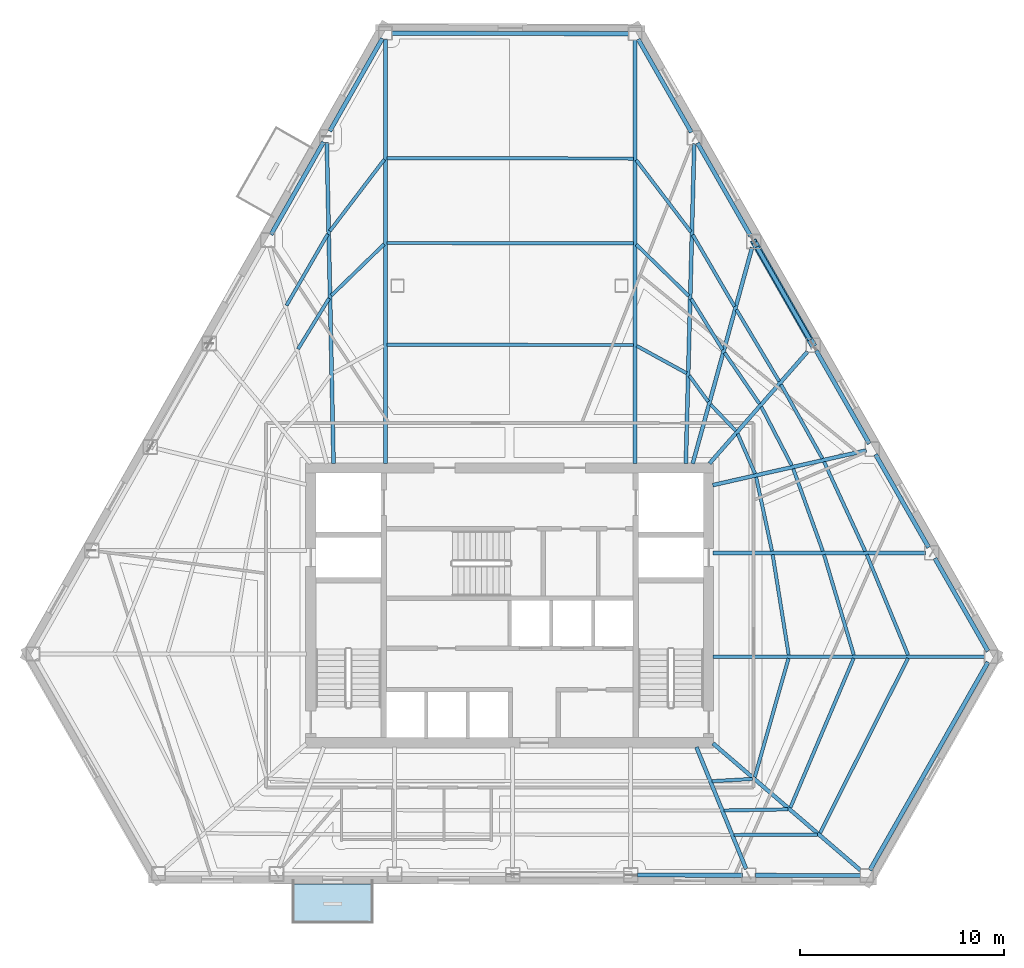
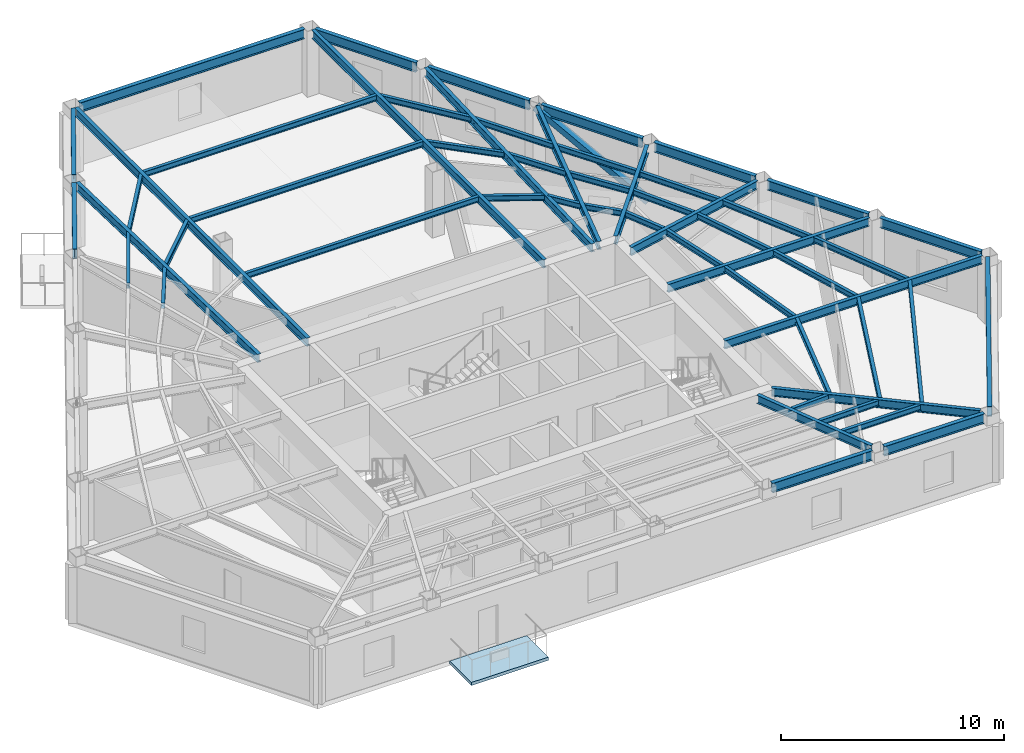
# One storey, part 2 of 13: 54 beams, 1 member, 1 slab.
"""IFC4 building model written with IfcOpenShell, lengths in metres."""

from ifc_helpers import new_model, si_unit, direction, frame, origin, origin_2d, place, context, subcontext, project, spatial, polyline, hollow_rectangle, i_section, outline, extrude, material, layer, layer_set, material_profile, profile_set, type_object, element, save


model = new_model("IFC4")

# Units and contexts
model_context = context("Model", 3, precision=1e-05, world=origin(), true_north=direction((0.0, 1.0)))
body_context = subcontext(model_context, "Body", "Model", "MODEL_VIEW")
ifc_project = project(units=[si_unit("LENGTHUNIT", "METRE"), si_unit("AREAUNIT", "SQUARE_METRE"), si_unit("VOLUMEUNIT", "CUBIC_METRE"), si_unit("PLANEANGLEUNIT", "RADIAN"), si_unit("MASSUNIT", "GRAM", prefix="KILO")], contexts=[model_context])

# Site, building, storey
site_placement = place(None, origin())
site = spatial("IfcSite", under=ifc_project, at=site_placement, CompositionType="ELEMENT")
building_placement = place(site_placement, origin())
building = spatial("IfcBuilding", under=site, at=building_placement, Name="Kavelnor Concourse Tower", CompositionType="ELEMENT")
storey_placement = place(building_placement, frame((0.0, 0.0, 97.050048828125)))
storey = spatial("IfcBuildingStorey", under=building, at=storey_placement, Name="L24", CompositionType="ELEMENT", Elevation=97.050048828125)

# Beams
ifc_material_1 = material(Name="Steel Grade 350", Category="steel")
ifc_material_profile_1 = material_profile(ifc_material_1, i_section(OverallWidth=0.166015625, OverallDepth=0.306884765625, WebThickness=0.006591796875, FlangeThickness=0.01171875, at=origin_2d()), Name="310UB46")
ifc_profile_set_1 = profile_set([ifc_material_profile_1], Name="Steel Grade 350")
beam_type_1 = type_object("IfcBeamType", Name="BM-JOIST-310", PredefinedType="JOIST", material=ifc_profile_set_1)
beam_1_placement = place(storey_placement, frame((47.949462890625, 7.46337890625, 3.446533203125), z_axis=(0.998497633598, 0.054794851024, 0.0), x_axis=(-0.054794851024, 0.998497633598, 0.0)))
element("IfcBeam", 1, at=beam_1_placement, inside=storey, type_object=beam_type_1, Name="L24 Secondary Composite Joist 07-1", PredefinedType="JOIST", context=body_context, shape_type="SweptSolid", body=[
    extrude(i_section(OverallWidth=0.166015625, OverallDepth=0.306884765625, WebThickness=0.006591796875, FlangeThickness=0.01171875, at=origin_2d()), origin(), (0.0, 0.0, 1.0), 1.982666015625),
])
beam_2_placement = place(storey_placement, frame((48.53662109375, 6.021484375, 3.446533203125), z_axis=(0.999827853968, 0.018554310272, 0.0), x_axis=(-0.018554310272, 0.999827853968, 0.0)))
element("IfcBeam", 2, at=beam_2_placement, inside=storey, type_object=beam_type_1, Name="L24 Secondary Composite Joist 07-2", PredefinedType="JOIST", context=body_context, shape_type="SweptSolid", body=[
    extrude(i_section(OverallWidth=0.166015625, OverallDepth=0.306884765625, WebThickness=0.006591796875, FlangeThickness=0.01171875, at=origin_2d()), origin(), (0.0, 0.0, 1.0), 3.131591796875),
])
beam_3_placement = place(storey_placement, frame((49.025390625, 4.8212890625, 3.446533203125), z_axis=(0.999994807678, 0.003222517134, 0.0), x_axis=(-0.003222517134, 0.999994807678, 0.0)))
element("IfcBeam", 3, at=beam_3_placement, inside=storey, type_object=beam_type_1, Name="L24 Secondary Composite Joist 07-3", PredefinedType="JOIST", context=body_context, shape_type="SweptSolid", body=[
    extrude(i_section(OverallWidth=0.166015625, OverallDepth=0.306884765625, WebThickness=0.006591796875, FlangeThickness=0.01171875, at=origin_2d()), origin(), (0.0, 0.0, 1.0), 4.091064453125),
])
beam_4_placement = place(storey_placement, frame((50.04248046875, 7.662353515625, 3.446533203125), z_axis=(0.273385517776, 0.961904547588, 0.0), x_axis=(-0.961904547588, 0.273385517776, 0.0)))
element("IfcBeam", 4, at=beam_4_placement, inside=storey, type_object=beam_type_1, Name="L24 Secondary Composite Joist 08-1", PredefinedType="JOIST", context=body_context, shape_type="SweptSolid", body=[
    extrude(i_section(OverallWidth=0.166015625, OverallDepth=0.306884765625, WebThickness=0.006591796875, FlangeThickness=0.01171875, at=origin_2d()), origin(), (0.0, 0.0, 1.0), 6.06103515625),
])
beam_5_placement = place(storey_placement, frame((51.79150390625, 6.1630859375, 3.446533203125), z_axis=(0.390067979964, 0.920786061475, 0.0), x_axis=(-0.920786061475, 0.390067979964, 0.0)))
element("IfcBeam", 5, at=beam_5_placement, inside=storey, type_object=beam_type_1, Name="L24 Secondary Composite Joist 08-2", PredefinedType="JOIST", context=body_context, shape_type="SweptSolid", body=[
    extrude(i_section(OverallWidth=0.166015625, OverallDepth=0.306884765625, WebThickness=0.006591796875, FlangeThickness=0.01171875, at=origin_2d()), origin(), (0.0, 0.0, 1.0), 7.9638671875),
])
beam_6_placement = place(storey_placement, frame((53.24560546875, 4.914306640625, 3.446533203125), z_axis=(0.449620246027, 0.893219813015, 0.0), x_axis=(-0.893219813015, 0.449620246027, 0.0)))
element("IfcBeam", 6, at=beam_6_placement, inside=storey, type_object=beam_type_1, Name="L24 Secondary Composite Joist 08-3", PredefinedType="JOIST", context=body_context, shape_type="SweptSolid", body=[
    extrude(i_section(OverallWidth=0.166015625, OverallDepth=0.306884765625, WebThickness=0.006591796875, FlangeThickness=0.01171875, at=origin_2d()), origin(), (0.0, 0.0, 1.0), 9.6103515625),
])
beam_7_placement = place(storey_placement, frame((51.709716796875, 13.666015625, 3.446533203125), z_axis=(-0.158051608703, 0.987430852762, 0.0), x_axis=(-0.987430852762, -0.158051608703, 0.0)))
element("IfcBeam", 7, at=beam_7_placement, inside=storey, type_object=beam_type_1, Name="L24 Secondary Composite Joist 09-1", PredefinedType="JOIST", context=body_context, shape_type="SweptSolid", body=[
    extrude(i_section(OverallWidth=0.166015625, OverallDepth=0.306884765625, WebThickness=0.006591796875, FlangeThickness=0.01171875, at=origin_2d()), origin(), (0.0, 0.0, 1.0), 4.986328125),
])
beam_8_placement = place(storey_placement, frame((54.9072265625, 13.663330078125, 3.446533203125), z_axis=(-0.284877124027, 0.95856404283, 0.0), x_axis=(-0.95856404283, -0.284877124027, 0.0)))
element("IfcBeam", 8, at=beam_8_placement, inside=storey, type_object=beam_type_1, Name="L24 Secondary Composite Joist 09-2", PredefinedType="JOIST", context=body_context, shape_type="SweptSolid", body=[
    extrude(i_section(OverallWidth=0.166015625, OverallDepth=0.306884765625, WebThickness=0.006591796875, FlangeThickness=0.01171875, at=origin_2d()), origin(), (0.0, 0.0, 1.0), 5.14208984375),
])
beam_9_placement = place(storey_placement, frame((57.572998046875, 13.660400390625, 3.446533203125), z_axis=(-0.380554205786, 0.924758615239, 0.0), x_axis=(-0.924758615239, -0.380554205786, 0.0)))
element("IfcBeam", 9, at=beam_9_placement, inside=storey, type_object=beam_type_1, Name="L24 Secondary Composite Joist 09-3", PredefinedType="JOIST", context=body_context, shape_type="SweptSolid", body=[
    extrude(i_section(OverallWidth=0.166015625, OverallDepth=0.306884765625, WebThickness=0.006591796875, FlangeThickness=0.01171875, at=origin_2d()), origin(), (0.0, 0.0, 1.0), 5.33642578125),
])
beam_10_placement = place(storey_placement, frame((50.888916015625, 18.7646484375, 3.446533203125), z_axis=(-0.209533577314, 0.977801452227, 0.0), x_axis=(-0.977801452227, -0.209533577314, 0.0)))
element("IfcBeam", 10, at=beam_10_placement, inside=storey, type_object=beam_type_1, Name="L24 Secondary Composite Joist 10-1", PredefinedType="JOIST", context=body_context, shape_type="SweptSolid", body=[
    extrude(i_section(OverallWidth=0.166015625, OverallDepth=0.306884765625, WebThickness=0.006591796875, FlangeThickness=0.01171875, at=origin_2d()), origin(), (0.0, 0.0, 1.0), 3.714599609375),
])
beam_11_placement = place(storey_placement, frame((53.386962890625, 18.76123046875, 3.446533203125), z_axis=(-0.338363670899, 0.941015422943, 0.0), x_axis=(-0.941015422943, -0.338363670899, 0.0)))
element("IfcBeam", 11, at=beam_11_placement, inside=storey, type_object=beam_type_1, Name="L24 Secondary Composite Joist 10-2", PredefinedType="JOIST", context=body_context, shape_type="SweptSolid", body=[
    extrude(i_section(OverallWidth=0.166015625, OverallDepth=0.306884765625, WebThickness=0.006591796875, FlangeThickness=0.01171875, at=origin_2d()), origin(), (0.0, 0.0, 1.0), 4.301025390625),
])
beam_12_placement = place(storey_placement, frame((55.47119140625, 18.75830078125, 3.446533203125), z_axis=(-0.418523645981, 0.908205900528, 0.0), x_axis=(-0.908205900528, -0.418523645981, 0.0)))
element("IfcBeam", 12, at=beam_12_placement, inside=storey, type_object=beam_type_1, Name="L24 Secondary Composite Joist 10-3", PredefinedType="JOIST", context=body_context, shape_type="SweptSolid", body=[
    extrude(i_section(OverallWidth=0.166015625, OverallDepth=0.306884765625, WebThickness=0.006591796875, FlangeThickness=0.01171875, at=origin_2d()), origin(), (0.0, 0.0, 1.0), 4.837646484375),
])
beam_13_placement = place(storey_placement, frame((50.056640625, 22.5654296875, 3.446533203125), z_axis=(-0.398638474691, 0.917108154198, 0.0), x_axis=(-0.917108154198, -0.398638474691, 0.0)))
element("IfcBeam", 13, at=beam_13_placement, inside=storey, type_object=beam_type_1, Name="L24 Secondary Composite Joist 11-1", PredefinedType="JOIST", context=body_context, shape_type="SweptSolid", body=[
    extrude(i_section(OverallWidth=0.166015625, OverallDepth=0.306884765625, WebThickness=0.006591796875, FlangeThickness=0.01171875, at=origin_2d()), origin(), (0.0, 0.0, 1.0), 2.13916015625),
])
beam_14_placement = place(storey_placement, frame((51.860595703125, 22.97119140625, 3.446533203125), z_axis=(-0.461099134527, 0.887348628296, 0.0), x_axis=(-0.887348628296, -0.461099134527, 0.0)))
element("IfcBeam", 14, at=beam_14_placement, inside=storey, type_object=beam_type_1, Name="L24 Secondary Composite Joist 11-2", PredefinedType="JOIST", context=body_context, shape_type="SweptSolid", body=[
    extrude(i_section(OverallWidth=0.166015625, OverallDepth=0.306884765625, WebThickness=0.006591796875, FlangeThickness=0.01171875, at=origin_2d()), origin(), (0.0, 0.0, 1.0), 3.24365234375),
])
beam_15_placement = place(storey_placement, frame((53.365966796875, 23.310302734375, 3.446533203125), z_axis=(-0.488066698709, 0.872806334539, 0.0), x_axis=(-0.872806334539, -0.488066698709, 0.0)))
element("IfcBeam", 15, at=beam_15_placement, inside=storey, type_object=beam_type_1, Name="L24 Secondary Composite Joist 11-3", PredefinedType="JOIST", context=body_context, shape_type="SweptSolid", body=[
    extrude(i_section(OverallWidth=0.166015625, OverallDepth=0.306884765625, WebThickness=0.006591796875, FlangeThickness=0.01171875, at=origin_2d()), origin(), (0.0, 0.0, 1.0), 4.17041015625),
])
beam_16_placement = place(storey_placement, frame((49.10693359375, 24.673583984375, 3.446533203125), z_axis=(-0.690128506896, 0.723686841092, 0.0), x_axis=(-0.723686841092, -0.690128506896, 0.0)))
element("IfcBeam", 16, at=beam_16_placement, inside=storey, type_object=beam_type_1, Name="L24 Secondary Composite Joist 12-1", PredefinedType="JOIST", context=body_context, shape_type="SweptSolid", body=[
    extrude(i_section(OverallWidth=0.166015625, OverallDepth=0.306884765625, WebThickness=0.006591796875, FlangeThickness=0.01171875, at=origin_2d()), origin(), (0.0, 0.0, 1.0), 1.789794921875),
])
beam_17_placement = place(storey_placement, frame((50.273681640625, 26.001708984375, 3.446533203125), z_axis=(-0.564499354134, 0.825433509849, 0.0), x_axis=(-0.825433509849, -0.564499354134, 0.0)))
element("IfcBeam", 17, at=beam_17_placement, inside=storey, type_object=beam_type_1, Name="L24 Secondary Composite Joist 12-2", PredefinedType="JOIST", context=body_context, shape_type="SweptSolid", body=[
    extrude(i_section(OverallWidth=0.166015625, OverallDepth=0.306884765625, WebThickness=0.006591796875, FlangeThickness=0.01171875, at=origin_2d()), origin(), (0.0, 0.0, 1.0), 3.03515625),
])
beam_18_placement = place(storey_placement, frame((51.241455078125, 27.104248046875, 3.446533203125), z_axis=(-0.512533951965, 0.858666959934, 0.0), x_axis=(-0.858666959934, -0.512533951965, 0.0)))
element("IfcBeam", 18, at=beam_18_placement, inside=storey, type_object=beam_type_1, Name="L24 Secondary Composite Joist 12-3", PredefinedType="JOIST", context=body_context, shape_type="SweptSolid", body=[
    extrude(i_section(OverallWidth=0.166015625, OverallDepth=0.306884765625, WebThickness=0.006591796875, FlangeThickness=0.01171875, at=origin_2d()), origin(), (0.0, 0.0, 1.0), 4.102294921875),
])
beam_19_placement = place(storey_placement, frame((47.758056640625, 26.10498046875, 3.446533203125), z_axis=(-0.588345454386, 0.808609687243, 0.0), x_axis=(-0.808609687243, -0.588345454386, 0.0)))
element("IfcBeam", 19, at=beam_19_placement, inside=storey, type_object=beam_type_1, Name="L24 Secondary Composite Joist 13-1", PredefinedType="JOIST", context=body_context, shape_type="SweptSolid", body=[
    extrude(i_section(OverallWidth=0.166015625, OverallDepth=0.306884765625, WebThickness=0.006591796875, FlangeThickness=0.01171875, at=origin_2d()), origin(), (0.0, 0.0, 1.0), 1.587158203125),
])
beam_20_placement = place(storey_placement, frame((48.46337890625, 28.656005859375, 3.446533203125), z_axis=(-0.525736874835, 0.850647246771, 0.0), x_axis=(-0.850647246771, -0.525736874835, 0.0)))
element("IfcBeam", 20, at=beam_20_placement, inside=storey, type_object=beam_type_1, Name="L24 Secondary Composite Joist 13-2", PredefinedType="JOIST", context=body_context, shape_type="SweptSolid", body=[
    extrude(i_section(OverallWidth=0.166015625, OverallDepth=0.306884765625, WebThickness=0.006591796875, FlangeThickness=0.01171875, at=origin_2d()), origin(), (0.0, 0.0, 1.0), 2.939453125),
])
beam_21_placement = place(storey_placement, frame((49.04833984375, 30.780029296875, 3.446533203125), z_axis=(-0.503334116367, 0.86409187434, 0.0), x_axis=(-0.86409187434, -0.503334116367, 0.0)))
element("IfcBeam", 21, at=beam_21_placement, inside=storey, type_object=beam_type_1, Name="L24 Secondary Composite Joist 13-3", PredefinedType="JOIST", context=body_context, shape_type="SweptSolid", body=[
    extrude(i_section(OverallWidth=0.166015625, OverallDepth=0.306884765625, WebThickness=0.006591796875, FlangeThickness=0.01171875, at=origin_2d()), origin(), (0.0, 0.0, 1.0), 4.072021484375),
])
beam_22_placement = place(storey_placement, frame((46.693603515625, 27.503173828125, 3.446533203125), z_axis=(-0.877143565808, 0.48022824257, 0.0), x_axis=(-0.48022824257, -0.877143565808, 0.0)))
element("IfcBeam", 22, at=beam_22_placement, inside=storey, type_object=beam_type_1, Name="L24 Secondary Composite Joist 14-1", PredefinedType="JOIST", context=body_context, shape_type="SweptSolid", body=[
    extrude(i_section(OverallWidth=0.166015625, OverallDepth=0.306884765625, WebThickness=0.006591796875, FlangeThickness=0.01171875, at=origin_2d()), origin(), (0.0, 0.0, 1.0), 2.795654296875),
])
beam_23_placement = place(storey_placement, frame((46.8076171875, 31.29443359375, 3.446533203125), z_axis=(-0.714468896204, 0.699667204002, 0.0), x_axis=(-0.699667204002, -0.714468896204, 0.0)))
element("IfcBeam", 23, at=beam_23_placement, inside=storey, type_object=beam_type_1, Name="L24 Secondary Composite Joist 14-2", PredefinedType="JOIST", context=body_context, shape_type="SweptSolid", body=[
    extrude(i_section(OverallWidth=0.166015625, OverallDepth=0.306884765625, WebThickness=0.006591796875, FlangeThickness=0.01171875, at=origin_2d()), origin(), (0.0, 0.0, 1.0), 3.6123046875),
])
beam_24_placement = place(storey_placement, frame((46.900146484375, 34.4462890625, 3.446533203125), z_axis=(-0.605088852016, 0.796157949886, 0.0), x_axis=(-0.796157949886, -0.605088852016, 0.0)))
element("IfcBeam", 24, at=beam_24_placement, inside=storey, type_object=beam_type_1, Name="L24 Secondary Composite Joist 14-3", PredefinedType="JOIST", context=body_context, shape_type="SweptSolid", body=[
    extrude(i_section(OverallWidth=0.166015625, OverallDepth=0.306884765625, WebThickness=0.006591796875, FlangeThickness=0.01171875, at=origin_2d()), origin(), (0.0, 0.0, 1.0), 4.433837890625),
])
for number, where, z_axis, x_axis, name in (
    (25, (44.07421875, 28.888427734375, 3.446533203125), (-0.99999970542, 0.000767567997, 0.0), (-0.000767567997, -0.99999970542, 0.0), "L24 Secondary Composite Joist 15-1"),
    (26, (44.07421875, 33.884033203125, 3.446533203125), (-0.99999894245, 0.001454338252, 0.0), (-0.001454338252, -0.99999894245, 0.0), "L24 Secondary Composite Joist 15-2"),
    (27, (44.07421875, 38.04736328125, 3.446533203125), (-0.999998000572, 0.001999713213, 0.0), (-0.001999713213, -0.999998000572, 0.0), "L24 Secondary Composite Joist 15-3"),
):
    element("IfcBeam", number, at=place(storey_placement, frame(where, z_axis=z_axis, x_axis=x_axis)), inside=storey, type_object=beam_type_1, Name=name, PredefinedType="JOIST", context=body_context, shape_type="SweptSolid", body=[
        extrude(i_section(OverallWidth=0.166015625, OverallDepth=0.306884765625, WebThickness=0.006591796875, FlangeThickness=0.01171875, at=origin_2d()), origin(), (0.0, 0.0, 1.0), 12.086669921875),
    ])
beam_25_placement = place(storey_placement, frame((31.834716796875, 33.839599609375, 3.446533203125), z_axis=(-0.717232119428, -0.696834332436, 0.0), x_axis=(0.696834332436, -0.717232119428, 0.0)))
element("IfcBeam", 28, at=beam_25_placement, inside=storey, type_object=beam_type_1, Name="L24 Secondary Composite Joist 16-2", PredefinedType="JOIST", context=body_context, shape_type="SweptSolid", body=[
    extrude(i_section(OverallWidth=0.166015625, OverallDepth=0.306884765625, WebThickness=0.006591796875, FlangeThickness=0.01171875, at=origin_2d()), origin(), (0.0, 0.0, 1.0), 3.61474609375),
])
beam_26_placement = place(storey_placement, frame((31.8447265625, 38.000732421875, 3.446533203125), z_axis=(-0.605858546364, -0.795572386272, 0.0), x_axis=(0.795572386272, -0.605858546364, 0.0)))
element("IfcBeam", 29, at=beam_26_placement, inside=storey, type_object=beam_type_1, Name="L24 Secondary Composite Joist 16-3", PredefinedType="JOIST", context=body_context, shape_type="SweptSolid", body=[
    extrude(i_section(OverallWidth=0.166015625, OverallDepth=0.306884765625, WebThickness=0.006591796875, FlangeThickness=0.01171875, at=origin_2d()), origin(), (0.0, 0.0, 1.0), 4.421630859375),
])
beam_27_placement = place(storey_placement, frame((29.1318359375, 31.182861328125, 3.446533203125), z_axis=(-0.522861737262, -0.852417505515, 0.0), x_axis=(0.852417505515, -0.522861737262, 0.0)))
element("IfcBeam", 30, at=beam_27_placement, inside=storey, type_object=beam_type_1, Name="L24 Secondary Composite Joist 17-2", PredefinedType="JOIST", context=body_context, shape_type="SweptSolid", body=[
    extrude(i_section(OverallWidth=0.166015625, OverallDepth=0.306884765625, WebThickness=0.006591796875, FlangeThickness=0.01171875, at=origin_2d()), origin(), (0.0, 0.0, 1.0), 2.922607421875),
])
beam_28_placement = place(storey_placement, frame((29.0673828125, 34.335205078125, 3.446533203125), z_axis=(-0.500798665595, -0.865563802697, 0.0), x_axis=(0.865563802697, -0.500798665595, 0.0)))
element("IfcBeam", 31, at=beam_28_placement, inside=storey, type_object=beam_type_1, Name="L24 Secondary Composite Joist 17-3", PredefinedType="JOIST", context=body_context, shape_type="SweptSolid", body=[
    extrude(i_section(OverallWidth=0.166015625, OverallDepth=0.306884765625, WebThickness=0.006591796875, FlangeThickness=0.01171875, at=origin_2d()), origin(), (0.0, 0.0, 1.0), 4.050537109375),
])
ifc_material_profile_2 = material_profile(ifc_material_1, i_section(OverallWidth=0.18994140625, OverallDepth=0.4541015625, WebThickness=0.008544921875, FlangeThickness=0.0126953125, at=origin_2d()), Name="460UB67")
ifc_profile_set_2 = profile_set([ifc_material_profile_2], Name="Steel Grade 350")
beam_type_2 = type_object("IfcBeamType", Name="BM-PRIMARY-460", PredefinedType="BEAM", material=ifc_profile_set_2)
beam_29_placement = place(storey_placement, frame((31.898681640625, 23.06005859375, 3.373046875), z_axis=(0.0, 1.0, 0.0), x_axis=(-1.0, 0.0, 0.0)))
element("IfcBeam", 32, at=beam_29_placement, inside=storey, type_object=beam_type_2, Name="L24 Primary Floor Girder F0-B0", PredefinedType="BEAM", context=body_context, shape_type="SweptSolid", body=[
    extrude(i_section(OverallWidth=0.18994140625, OverallDepth=0.4541015625, WebThickness=0.008544921875, FlangeThickness=0.0126953125, at=origin_2d()), origin(), (0.0, 0.0, 1.0), 20.849365234375),
])
beam_30_placement = place(storey_placement, frame((29.351318359375, 23.06005859375, 3.373046875), z_axis=(-0.021085105623, 0.999777684448, 0.0), x_axis=(-0.999777684448, -0.021085105623, 0.0)))
element("IfcBeam", 33, at=beam_30_placement, inside=storey, type_object=beam_type_2, Name="L24 Primary Floor Girder F0-B1", PredefinedType="BEAM", context=body_context, shape_type="SweptSolid", body=[
    extrude(i_section(OverallWidth=0.18994140625, OverallDepth=0.4541015625, WebThickness=0.008544921875, FlangeThickness=0.0126953125, at=origin_2d()), origin(), (0.0, 0.0, 1.0), 15.770263671875),
])
beam_31_placement = place(storey_placement, frame((47.176025390625, 9.136962890625, 3.373046875), z_axis=(0.377682578629, -0.925935132609, 0.0), x_axis=(0.925935132609, 0.377682578629, 0.0)))
element("IfcBeam", 34, at=beam_31_placement, inside=storey, type_object=beam_type_2, Name="L24 Primary Floor Girder F1-B5", PredefinedType="BEAM", context=body_context, shape_type="SweptSolid", body=[
    extrude(i_section(OverallWidth=0.18994140625, OverallDepth=0.4541015625, WebThickness=0.008544921875, FlangeThickness=0.0126953125, at=origin_2d()), origin(), (0.0, 0.0, 1.0), 6.473876953125),
])
beam_32_placement = place(storey_placement, frame((47.98974609375, 9.32177734375, 3.373046875), z_axis=(0.758083132932, -0.652157928391, 0.0), x_axis=(0.652157928391, 0.758083132932, 0.0)))
element("IfcBeam", 35, at=beam_32_placement, inside=storey, type_object=beam_type_2, Name="L24 Primary Floor Girder F1-B6", PredefinedType="BEAM", context=body_context, shape_type="SweptSolid", body=[
    extrude(i_section(OverallWidth=0.18994140625, OverallDepth=0.4541015625, WebThickness=0.008544921875, FlangeThickness=0.0126953125, at=origin_2d()), origin(), (0.0, 0.0, 1.0), 9.555908203125),
])
beam_33_placement = place(storey_placement, frame((47.97998046875, 13.578125, 3.373046875), z_axis=(1.0, 0.0, 0.0), x_axis=(0.0, 1.0, 0.0)))
element("IfcBeam", 36, at=beam_33_placement, inside=storey, type_object=beam_type_2, Name="L24 Primary Floor Girder F2-B0", PredefinedType="BEAM", context=body_context, shape_type="SweptSolid", body=[
    extrude(i_section(OverallWidth=0.18994140625, OverallDepth=0.4541015625, WebThickness=0.008544921875, FlangeThickness=0.0126953125, at=origin_2d()), origin(), (0.0, 0.0, 1.0), 13.37060546875),
])
beam_34_placement = place(storey_placement, frame((47.97998046875, 18.677490234375, 3.373046875), z_axis=(1.0, 0.0, 0.0), x_axis=(0.0, 1.0, 0.0)))
element("IfcBeam", 37, at=beam_34_placement, inside=storey, type_object=beam_type_2, Name="L24 Primary Floor Girder F2-B1", PredefinedType="BEAM", context=body_context, shape_type="SweptSolid", body=[
    extrude(i_section(OverallWidth=0.18994140625, OverallDepth=0.4541015625, WebThickness=0.008544921875, FlangeThickness=0.0126953125, at=origin_2d()), origin(), (0.0, 0.0, 1.0), 10.4560546875),
])
beam_35_placement = place(storey_placement, frame((47.98095703125, 22.007080078125, 3.373046875), z_axis=(0.975450195665, 0.220220152975, 0.0), x_axis=(-0.220220152975, 0.975450195665, 0.0)))
element("IfcBeam", 38, at=beam_35_placement, inside=storey, type_object=beam_type_2, Name="L24 Primary Floor Girder F2-B2", PredefinedType="BEAM", context=body_context, shape_type="SweptSolid", body=[
    extrude(i_section(OverallWidth=0.18994140625, OverallDepth=0.4541015625, WebThickness=0.008544921875, FlangeThickness=0.0126953125, at=origin_2d()), origin(), (0.0, 0.0, 1.0), 7.729248046875),
])
beam_36_placement = place(storey_placement, frame((47.820068359375, 23.06982421875, 3.373046875), z_axis=(0.65893022685, 0.752204065492, 0.0), x_axis=(-0.752204065492, 0.65893022685, 0.0)))
element("IfcBeam", 39, at=beam_36_placement, inside=storey, type_object=beam_type_2, Name="L24 Primary Floor Girder F2-B3", PredefinedType="BEAM", context=body_context, shape_type="SweptSolid", body=[
    extrude(i_section(OverallWidth=0.18994140625, OverallDepth=0.4541015625, WebThickness=0.008544921875, FlangeThickness=0.0126953125, at=origin_2d()), origin(), (0.0, 0.0, 1.0), 7.307861328125),
])
beam_37_placement = place(storey_placement, frame((46.993896484375, 23.061279296875, 3.373046875), z_axis=(0.264907469778, 0.964273836862, 0.0), x_axis=(-0.964273836862, 0.264907469778, 0.0)))
element("IfcBeam", 40, at=beam_37_placement, inside=storey, type_object=beam_type_2, Name="L24 Primary Floor Girder F2-B4", PredefinedType="BEAM", context=body_context, shape_type="SweptSolid", body=[
    extrude(i_section(OverallWidth=0.18994140625, OverallDepth=0.4541015625, WebThickness=0.008544921875, FlangeThickness=0.0126953125, at=origin_2d()), origin(), (0.0, 0.0, 1.0), 11.0068359375),
])
beam_38_placement = place(storey_placement, frame((46.65576171875, 23.06005859375, 3.373046875), z_axis=(0.026337719213, 0.999653102104, 0.0), x_axis=(-0.999653102104, 0.026337719213, 0.0)))
element("IfcBeam", 41, at=beam_38_placement, inside=storey, type_object=beam_type_2, Name="L24 Primary Floor Girder F2-B5", PredefinedType="BEAM", context=body_context, shape_type="SweptSolid", body=[
    extrude(i_section(OverallWidth=0.18994140625, OverallDepth=0.4541015625, WebThickness=0.008544921875, FlangeThickness=0.0126953125, at=origin_2d()), origin(), (0.0, 0.0, 1.0), 15.72119140625),
])
beam_39_placement = place(storey_placement, frame((44.163330078125, 23.06005859375, 3.373046875), z_axis=(0.0, 1.0, 0.0), x_axis=(-1.0, 0.0, 0.0)))
element("IfcBeam", 42, at=beam_39_placement, inside=storey, type_object=beam_type_2, Name="L24 Primary Floor Girder F2-B6", PredefinedType="BEAM", context=body_context, shape_type="SweptSolid", body=[
    extrude(i_section(OverallWidth=0.18994140625, OverallDepth=0.4541015625, WebThickness=0.008544921875, FlangeThickness=0.0126953125, at=origin_2d()), origin(), (0.0, 0.0, 1.0), 20.8154296875),
])
ifc_material_profile_3 = material_profile(ifc_material_1, i_section(OverallWidth=0.208984375, OverallDepth=0.532958984375, WebThickness=0.01025390625, FlangeThickness=0.015625, at=origin_2d()), Name="530UB92")
ifc_profile_set_3 = profile_set([ifc_material_profile_3], Name="Steel Grade 350")
beam_type_3 = type_object("IfcBeamType", Name="BM-SPANDREL-Z2", PredefinedType="SPANDREL", material=ifc_profile_set_3)
for number, where, z_axis, x_axis, name in (
    (43, (31.748046875, 43.9443359375, 3.33349609375), (-0.493786643661, -0.869583090074, 0.0), (0.869583090074, -0.493786643661, 0.0), "L24 Perimeter Tube Spandrel Beam F0-B0"),
    (44, (28.86181640625, 38.86181640625, 3.33349609375), (-0.493751377143, -0.869603114972, 0.0), (0.869603114972, -0.493751377143, 0.0), "L24 Perimeter Tube Spandrel Beam F0-B1"),
):
    element("IfcBeam", number, at=place(storey_placement, frame(where, z_axis=z_axis, x_axis=x_axis)), inside=storey, type_object=beam_type_3, Name=name, PredefinedType="SPANDREL", context=body_context, shape_type="SweptSolid", body=[
        extrude(i_section(OverallWidth=0.208984375, OverallDepth=0.532958984375, WebThickness=0.01025390625, FlangeThickness=0.015625, at=origin_2d()), origin(), (0.0, 0.0, 1.0), 5.23486328125),
    ])
beam_40_placement = place(storey_placement, frame((43.8583984375, 44.17626953125, 3.33349609375), z_axis=(-0.999996119012, 0.002786029658, 0.0), x_axis=(-0.002786029658, -0.999996119012, 0.0)))
element("IfcBeam", 45, at=beam_40_placement, inside=storey, type_object=beam_type_3, Name="L24 Chamfer Facet Spandrel Beam C0", PredefinedType="SPANDREL", context=body_context, shape_type="SweptSolid", body=[
    extrude(i_section(OverallWidth=0.208984375, OverallDepth=0.532958984375, WebThickness=0.01025390625, FlangeThickness=0.015625, at=origin_2d()), origin(), (0.0, 0.0, 1.0), 11.65478515625),
])
for number, where, z_axis, x_axis, name in (
    (46, (44.2509765625, 2.85498046875, 3.33349609375), (0.999996146716, -0.002776067974, 0.0), (0.002776067974, 0.999996146716, 0.0), "L24 Perimeter Tube Spandrel Beam F1-B4"),
    (47, (50.0498046875, 2.8388671875, 3.33349609375), (0.999996146716, -0.002776067974, 0.0), (0.002776067974, 0.999996146716, 0.0), "L24 Perimeter Tube Spandrel Beam F1-B5"),
):
    element("IfcBeam", number, at=place(storey_placement, frame(where, z_axis=z_axis, x_axis=x_axis)), inside=storey, type_object=beam_type_3, Name=name, PredefinedType="SPANDREL", context=body_context, shape_type="SweptSolid", body=[
        extrude(i_section(OverallWidth=0.208984375, OverallDepth=0.532958984375, WebThickness=0.01025390625, FlangeThickness=0.015625, at=origin_2d()), origin(), (0.0, 0.0, 1.0), 5.188720703125),
    ])
beam_41_placement = place(storey_placement, frame((61.499267578125, 13.843017578125, 3.33349609375), z_axis=(-0.496243830007, 0.868183195633, 0.0), x_axis=(-0.868183195633, -0.496243830007, 0.0)))
element("IfcBeam", 48, at=beam_41_placement, inside=storey, type_object=beam_type_3, Name="L24 Perimeter Tube Spandrel Beam F2-B0", PredefinedType="SPANDREL", context=body_context, shape_type="SweptSolid", body=[
    extrude(i_section(OverallWidth=0.208984375, OverallDepth=0.532958984375, WebThickness=0.01025390625, FlangeThickness=0.015625, at=origin_2d()), origin(), (0.0, 0.0, 1.0), 5.263671875),
])
for number, where, z_axis, x_axis, name in (
    (49, (58.584716796875, 18.9423828125, 3.33349609375), (-0.496223847785, 0.868194616944, 0.0), (-0.868194616944, -0.496223847785, 0.0), "L24 Perimeter Tube Spandrel Beam F2-B1"),
    (50, (55.670166015625, 24.0419921875, 3.33349609375), (-0.496223847785, 0.868194616944, 0.0), (-0.868194616944, -0.496223847785, 0.0), "L24 Perimeter Tube Spandrel Beam F2-B2"),
):
    element("IfcBeam", number, at=place(storey_placement, frame(where, z_axis=z_axis, x_axis=x_axis)), inside=storey, type_object=beam_type_3, Name=name, PredefinedType="SPANDREL", context=body_context, shape_type="SweptSolid", body=[
        extrude(i_section(OverallWidth=0.208984375, OverallDepth=0.532958984375, WebThickness=0.01025390625, FlangeThickness=0.015625, at=origin_2d()), origin(), (0.0, 0.0, 1.0), 5.263916015625),
    ])
beam_42_placement = place(storey_placement, frame((52.755615234375, 29.1416015625, 3.33349609375), z_axis=(-0.496208868538, 0.868203178285, 0.0), x_axis=(-0.868203178285, -0.496208868538, 0.0)))
element("IfcBeam", 51, at=beam_42_placement, inside=storey, type_object=beam_type_3, Name="L24 Perimeter Tube Spandrel Beam F2-B3", PredefinedType="SPANDREL", context=body_context, shape_type="SweptSolid", body=[
    extrude(i_section(OverallWidth=0.208984375, OverallDepth=0.532958984375, WebThickness=0.01025390625, FlangeThickness=0.015625, at=origin_2d()), origin(), (0.0, 0.0, 1.0), 5.263427734375),
])
beam_43_placement = place(storey_placement, frame((49.841064453125, 34.2412109375, 3.33349609375), z_axis=(-0.496243830007, 0.868183195633, 0.0), x_axis=(-0.868183195633, -0.496243830007, 0.0)))
element("IfcBeam", 52, at=beam_43_placement, inside=storey, type_object=beam_type_3, Name="L24 Perimeter Tube Spandrel Beam F2-B4", PredefinedType="SPANDREL", context=body_context, shape_type="SweptSolid", body=[
    extrude(i_section(OverallWidth=0.208984375, OverallDepth=0.532958984375, WebThickness=0.01025390625, FlangeThickness=0.015625, at=origin_2d()), origin(), (0.0, 0.0, 1.0), 5.263671875),
])
beam_44_placement = place(storey_placement, frame((46.926513671875, 39.3408203125, 3.33349609375), z_axis=(-0.496208868538, 0.868203178285, 0.0), x_axis=(-0.868203178285, -0.496208868538, 0.0)))
element("IfcBeam", 53, at=beam_44_placement, inside=storey, type_object=beam_type_3, Name="L24 Perimeter Tube Spandrel Beam F2-B5", PredefinedType="SPANDREL", context=body_context, shape_type="SweptSolid", body=[
    extrude(i_section(OverallWidth=0.208984375, OverallDepth=0.532958984375, WebThickness=0.01025390625, FlangeThickness=0.015625, at=origin_2d()), origin(), (0.0, 0.0, 1.0), 5.263427734375),
])
beam_45_placement = place(storey_placement, frame((55.694091796875, 3.088623046875, 3.33349609375), z_axis=(0.493791421578, 0.86958037695, 0.0), x_axis=(-0.86958037695, 0.493791421578, 0.0)))
element("IfcBeam", 54, at=beam_45_placement, inside=storey, type_object=beam_type_3, Name="L24 Chamfer Facet Spandrel Beam C2", PredefinedType="SPANDREL", context=body_context, shape_type="SweptSolid", body=[
    extrude(i_section(OverallWidth=0.208984375, OverallDepth=0.532958984375, WebThickness=0.01025390625, FlangeThickness=0.015625, at=origin_2d()), origin(), (0.0, 0.0, 1.0), 11.7578125),
])

# Member
ifc_material_profile_4 = material_profile(ifc_material_1, hollow_rectangle(XDim=0.320068359375, YDim=0.320068359375, WallThickness=0.01806640625, at=origin_2d()), Name="SHS 320x320x18")
ifc_profile_set_4 = profile_set([ifc_material_profile_4], Name="Steel Grade 350")
member_type = type_object("IfcMemberType", Name="MBR-TUBE-DIAG-Z2", PredefinedType="BRACE", material=ifc_profile_set_4)
member_placement = place(storey_placement, frame((52.906982421875, 28.876708984375, 0.219970703125), z_axis=(-0.438416323971, 0.767100031421, 0.468346739789), x_axis=(-0.868207330115, -0.496201604123, 0.0)))
element("IfcMember", 55, at=member_placement, inside=storey, type_object=member_type, Name="L24 Framed-Tube Bracing Diagonal F2-B3", PredefinedType="BRACE", context=body_context, shape_type="SweptSolid", body=[
    extrude(hollow_rectangle(XDim=0.320068359375, YDim=0.320068359375, WallThickness=0.01806640625, at=origin_2d()), origin(), (0.0, 0.0, 1.0), 6.64794921875),
])

# Slab
ifc_material_2 = material(Name="Concrete C40/50", Category="concrete")
ifc_layer = layer(ifc_material_2, 0.169921875, Name="Concrete C40/50")
ifc_layer_set = layer_set([ifc_layer], Name="Concrete C40/50")
slab_type = type_object("IfcSlabType", Name="SLB-BALCONY-170", PredefinedType="FLOOR", material=ifc_layer_set)
slab_placement = place(storey_placement, frame((0.0, 0.0, -0.170166015625)))
element("IfcSlab", 56, at=slab_placement, inside=storey, type_object=slab_type, Name="L24 Cantilevered Tree Balcony Slab 2", PredefinedType="FLOOR", context=body_context, shape_type="SweptSolid", body=[
    extrude(outline(polyline([(31.303955078125, 0.4609375), (27.303955078125, 0.47216796875), (27.309326171875, 2.422119140625), (31.309326171875, 2.410888671875), (31.303955078125, 0.4609375)])), origin(), (0.0, 0.0, 1.0), 0.170166015625),
])

save(model, "model.ifc")
